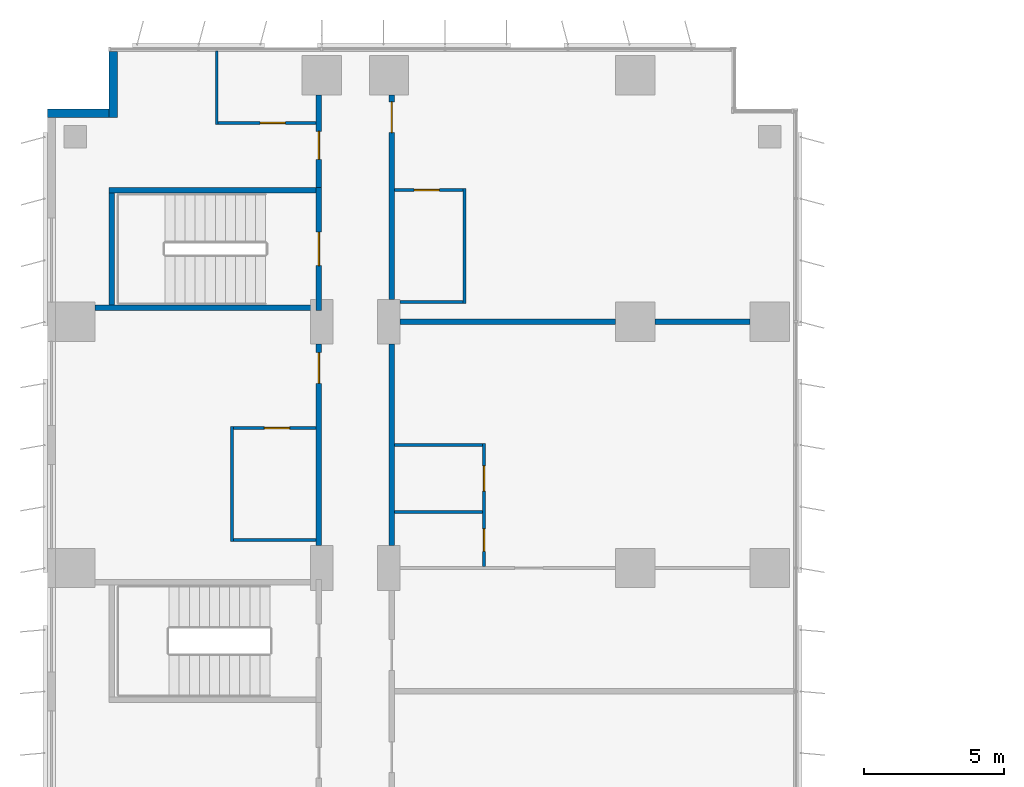
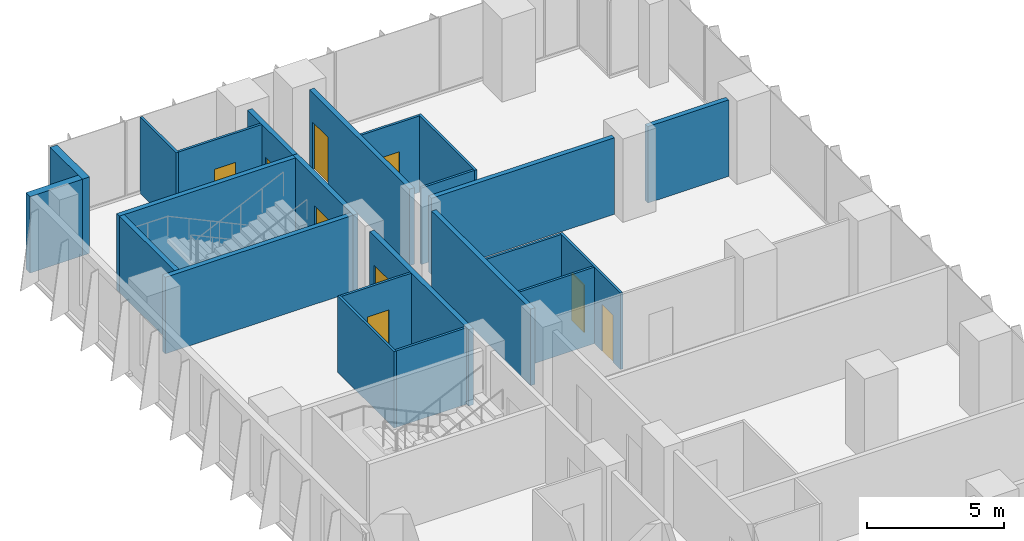
# One storey, part 19 of 24: 23 walls, 9 doors, 9 openings.
"""IFC4 building model written with IfcOpenShell, lengths in metres."""

from ifc_helpers import new_model, si_unit, direction, frame, frame_2d, origin, place, context, subcontext, project, spatial, rectangle, extrude, material, layer, layer_set, type_object, element, fill, save


model = new_model("IFC4")

# Units and contexts
model_context = context("Model", 3, precision=1e-05, world=origin(), true_north=direction((0.0, 1.0)))
body_context = subcontext(model_context, "Body", "Model", "MODEL_VIEW")
ifc_project = project(units=[si_unit("LENGTHUNIT", "METRE"), si_unit("AREAUNIT", "SQUARE_METRE"), si_unit("VOLUMEUNIT", "CUBIC_METRE"), si_unit("PLANEANGLEUNIT", "RADIAN"), si_unit("MASSUNIT", "GRAM", prefix="KILO")], contexts=[model_context])

# Site, building, storey
site_placement = place(None, origin())
site = spatial("IfcSite", under=ifc_project, at=site_placement, CompositionType="ELEMENT")
building_placement = place(site_placement, origin())
building = spatial("IfcBuilding", under=site, at=building_placement, Name="Kemantara Hotel Tower", CompositionType="ELEMENT")
storey_placement = place(building_placement, frame((0.0, 0.0, 45.10009765625)))
storey = spatial("IfcBuildingStorey", under=building, at=storey_placement, Name="L09", CompositionType="ELEMENT", Elevation=45.10009765625)

# Walls
ifc_material_1 = material(Name="Bronze anodised aluminium cladding on insulated steel stud wall", Category="steel")
ifc_layer_1 = layer(ifc_material_1, 0.300048828125)
ifc_layer_set_1 = layer_set([ifc_layer_1], Name="Bronze anodised aluminium cladding on insulated steel stud wall")
wall_type_1 = type_object("IfcWallType", Name="BRONZE METAL-CLAD EXTERNAL WALL 300", PredefinedType="STANDARD", material=ifc_layer_set_1)
wall_1_placement = place(storey_placement, frame((2.35009765625, 81.050048828125, 0.0), z_axis=(0.0, 0.0, 1.0), x_axis=(0.0, -1.0, 0.0)))
element("IfcWall", 1, at=wall_1_placement, inside=storey, type_object=wall_type_1, Name="EXTERNAL WALL L09 T1-R12", PredefinedType="STANDARD", context=body_context, shape_type="SweptSolid", body=[
    extrude(rectangle(XDim=2.35009765625, YDim=0.300048828125, at=frame_2d((1.175048828125, 0.0))), origin(), (0.0, 0.0, 1.0), 3.39990234375),
])
wall_2_placement = place(storey_placement, frame((2.199951171875, 78.85009765625, 0.0), z_axis=(0.0, 0.0, 1.0), x_axis=(-1.0, 0.0, 0.0)))
element("IfcWall", 2, at=wall_2_placement, inside=storey, type_object=wall_type_1, Name="EXTERNAL WALL L09 T1-R13", PredefinedType="STANDARD", context=body_context, shape_type="SweptSolid", body=[
    extrude(rectangle(XDim=2.199951171875, YDim=0.300048828125, at=frame_2d((1.10009765625, 0.0))), origin(), (0.0, 0.0, 1.0), 3.39990234375),
])

# Wall, opening, door
ifc_material_2 = material(Name="Gypsum board partition, steel studs and mineral wool, 200 mm", Category="steel")
ifc_layer_2 = layer(ifc_material_2, 0.199951171875)
ifc_layer_set_2 = layer_set([ifc_layer_2], Name="Gypsum board partition, steel studs and mineral wool, 200 mm")
wall_type_2 = type_object("IfcWallType", Name="CORRIDOR WALL 200", PredefinedType="PARTITIONING", material=ifc_layer_set_2)
wall_3_placement = place(storey_placement, frame((9.699951171875, 63.400146484375, 0.0), z_axis=(0.0, 0.0, 1.0), x_axis=(0.0, 1.0, 0.0)))
wall_3 = element("IfcWall", 3, at=wall_3_placement, inside=storey, type_object=wall_type_2, Name="CORRIDOR WALL 200 031", PredefinedType="PARTITIONING", context=body_context, shape_type="SweptSolid", body=[
    extrude(rectangle(XDim=7.19970703125, YDim=0.199951171875, at=frame_2d((3.599853515625, 0.0))), origin(), (0.0, 0.0, 1.0), 3.39990234375),
])
opening_1_placement = place(wall_3_placement, frame((5.7998046875, 0.0, 0.0)))
opening_1 = element("IfcOpeningElement", 4, at=opening_1_placement, cuts=wall_3, Name="Opening F02-041", PredefinedType="OPENING", context=body_context, shape_type="SweptSolid", body=[
    extrude(rectangle(XDim=1.10009765625, YDim=2.10009765625, at=frame_2d((0.550048828125, 1.050048828125))), frame((0.0, 0.10986328125, 0.0), z_axis=(0.0, -1.0, 0.0), x_axis=(1.0, 0.0, 0.0)), (0.0, 0.0, 1.0), 0.219970703125),
])
ifc_material_3 = material(Name="Hardwood veneer door leaf with steel frame", Category="steel")
door_type_1 = type_object("IfcDoorType", Name="SUITE ENTRANCE DOOR 1100 X 2100 FD30S", OperationType="NOTDEFINED", PredefinedType="DOOR", material=ifc_material_3)
door_1_placement = place(opening_1_placement, origin())
door_1 = element("IfcDoor", 5, at=door_1_placement, inside=storey, type_object=door_type_1, Name="SUITE ENTRANCE DOOR F02-041", OperationType="SINGLE_SWING_RIGHT", OverallHeight=2.10009765625, OverallWidth=1.10009765625, PredefinedType="DOOR", context=body_context, shape_type="SweptSolid", body=[
    extrude(rectangle(XDim=1.10009765625, YDim=2.10009765625, at=frame_2d((0.550048828125, 1.050048828125))), frame((0.0, 0.02490234375, 0.0), z_axis=(0.0, -1.0, 0.0), x_axis=(1.0, 0.0, 0.0)), (0.0, 0.0, 1.0), 0.050048828125),
])
fill(opening_1, door_1)

wall_4_placement = place(storey_placement, frame((9.699951171875, 76.199951171875, 0.0), z_axis=(0.0, 0.0, 1.0), x_axis=(0.0, 1.0, 0.0)))
wall_4 = element("IfcWall", 6, at=wall_4_placement, inside=storey, type_object=wall_type_2, Name="CORRIDOR WALL 200 032", PredefinedType="PARTITIONING", context=body_context, shape_type="SweptSolid", body=[
    extrude(rectangle(XDim=3.300048828125, YDim=0.199951171875, at=frame_2d((1.64990234375, 0.0))), origin(), (0.0, 0.0, 1.0), 3.39990234375),
])
opening_2_placement = place(wall_4_placement, frame((1.0, 0.0, 0.0)))
opening_2 = element("IfcOpeningElement", 7, at=opening_2_placement, cuts=wall_4, Name="Opening F02-043", PredefinedType="OPENING", context=body_context, shape_type="SweptSolid", body=[
    extrude(rectangle(XDim=1.0, YDim=2.10009765625, at=frame_2d((0.5, 1.050048828125))), frame((0.0, 0.10986328125, 0.0), z_axis=(0.0, -1.0, 0.0), x_axis=(1.0, 0.0, 0.0)), (0.0, 0.0, 1.0), 0.219970703125),
])
door_type_2 = type_object("IfcDoorType", Name="GUEST ROOM DOOR 1000 X 2100 FD30S", OperationType="NOTDEFINED", PredefinedType="DOOR", material=ifc_material_3)
door_2_placement = place(opening_2_placement, origin())
door_2 = element("IfcDoor", 8, at=door_2_placement, inside=storey, type_object=door_type_2, Name="GUEST ROOM DOOR F02-043", OperationType="SINGLE_SWING_LEFT", OverallHeight=2.10009765625, OverallWidth=1.0, PredefinedType="DOOR", context=body_context, shape_type="SweptSolid", body=[
    extrude(rectangle(XDim=1.0, YDim=2.10009765625, at=frame_2d((0.5, 1.050048828125))), frame((0.0, 0.02490234375, 0.0), z_axis=(0.0, -1.0, 0.0), x_axis=(1.0, 0.0, 0.0)), (0.0, 0.0, 1.0), 0.050048828125),
])
fill(opening_2, door_2)

# Wall
wall_5_placement = place(storey_placement, frame((12.300048828125, 63.400146484375, 0.0), z_axis=(0.0, 0.0, 1.0), x_axis=(0.0, 1.0, 0.0)))
element("IfcWall", 9, at=wall_5_placement, inside=storey, type_object=wall_type_2, Name="CORRIDOR WALL 200 048", PredefinedType="PARTITIONING", context=body_context, shape_type="SweptSolid", body=[
    extrude(rectangle(XDim=7.19970703125, YDim=0.199951171875, at=frame_2d((3.599853515625, 0.0))), origin(), (0.0, 0.0, 1.0), 3.39990234375),
])

# Wall, opening, door
wall_6_placement = place(storey_placement, frame((12.300048828125, 79.5, 0.0), z_axis=(0.0, 0.0, 1.0), x_axis=(0.0, -1.0, 0.0)))
wall_6 = element("IfcWall", 10, at=wall_6_placement, inside=storey, type_object=wall_type_2, Name="CORRIDOR WALL 200 049", PredefinedType="PARTITIONING", context=body_context, shape_type="SweptSolid", body=[
    extrude(rectangle(XDim=7.2998046875, YDim=0.199951171875, at=frame_2d((3.64990234375, 0.0))), origin(), (0.0, 0.0, 1.0), 3.39990234375),
])
opening_3_placement = place(wall_6_placement, frame((0.25, 0.0, 0.0)))
opening_3 = element("IfcOpeningElement", 11, at=opening_3_placement, cuts=wall_6, Name="Opening F02-059", PredefinedType="OPENING", context=body_context, shape_type="SweptSolid", body=[
    extrude(rectangle(XDim=1.10009765625, YDim=2.10009765625, at=frame_2d((0.550048828125, 1.050048828125))), frame((0.0, 0.10986328125, 0.0), z_axis=(0.0, -1.0, 0.0), x_axis=(1.0, 0.0, 0.0)), (0.0, 0.0, 1.0), 0.219970703125),
])
door_3_placement = place(opening_3_placement, origin())
door_3 = element("IfcDoor", 12, at=door_3_placement, inside=storey, type_object=door_type_1, Name="SUITE ENTRANCE DOOR F02-059", OperationType="SINGLE_SWING_LEFT", OverallHeight=2.10009765625, OverallWidth=1.10009765625, PredefinedType="DOOR", context=body_context, shape_type="SweptSolid", body=[
    extrude(rectangle(XDim=1.10009765625, YDim=2.10009765625, at=frame_2d((0.550048828125, 1.050048828125))), frame((0.0, 0.02490234375, 0.0), z_axis=(0.0, -1.0, 0.0), x_axis=(1.0, 0.0, 0.0)), (0.0, 0.0, 1.0), 0.050048828125),
])
fill(opening_3, door_3)

ifc_material_4 = material(Name="Concrete fc 40 MPa", Category="concrete")
ifc_layer_3 = layer(ifc_material_4, 0.199951171875)
ifc_layer_set_3 = layer_set([ifc_layer_3], Name="Concrete fc 40 MPa")
wall_type_3 = type_object("IfcWallType", Name="Concrete stair wall 200 mm", PredefinedType="SHEAR", material=ifc_layer_set_3)
wall_7_placement = place(storey_placement, frame((9.699951171875, 71.800048828125, 0.0), z_axis=(0.0, 0.0, 1.0), x_axis=(0.0, 1.0, 0.0)))
wall_7 = element("IfcWall", 13, at=wall_7_placement, inside=storey, type_object=wall_type_3, Name="Stair ST6 enclosure wall with door", PredefinedType="SHEAR", context=body_context, shape_type="SweptSolid", body=[
    extrude(rectangle(XDim=4.39990234375, YDim=0.199951171875, at=frame_2d((2.199951171875, 0.0))), origin(), (0.0, 0.0, 1.0), 3.39990234375),
])
opening_4_placement = place(wall_7_placement, frame((1.60009765625, 0.0, 0.0)))
opening_4 = element("IfcOpeningElement", 14, at=opening_4_placement, cuts=wall_7, Name="Opening ST6-C", PredefinedType="OPENING", context=body_context, shape_type="SweptSolid", body=[
    extrude(rectangle(XDim=1.199951171875, YDim=2.10009765625, at=frame_2d((0.60009765625, 1.050048828125))), frame((0.0, 0.10986328125, 0.0), z_axis=(0.0, -1.0, 0.0), x_axis=(1.0, 0.0, 0.0)), (0.0, 0.0, 1.0), 0.219970703125),
])
ifc_material_5 = material(Name="Steel fire door", Category="steel")
door_type_3 = type_object("IfcDoorType", Name="Fire door FD90 1200 x 2100", OperationType="NOTDEFINED", PredefinedType="DOOR", material=ifc_material_5)
door_4_placement = place(opening_4_placement, origin())
door_4 = element("IfcDoor", 15, at=door_4_placement, inside=storey, type_object=door_type_3, Name="Stair ST6 door", OperationType="SINGLE_SWING_RIGHT", OverallHeight=2.10009765625, OverallWidth=1.199951171875, PredefinedType="DOOR", context=body_context, shape_type="SweptSolid", body=[
    extrude(rectangle(XDim=1.199951171875, YDim=2.10009765625, at=frame_2d((0.60009765625, 1.050048828125))), frame((0.0, 0.02490234375, 0.0), z_axis=(0.0, -1.0, 0.0), x_axis=(1.0, 0.0, 0.0)), (0.0, 0.0, 1.0), 0.050048828125),
])
fill(opening_4, door_4)

# Walls
wall_8_placement = place(storey_placement, frame((2.199951171875, 76.10009765625, 0.0), z_axis=(0.0, 0.0, 1.0), x_axis=(1.0, 0.0, 0.0)))
element("IfcWall", 16, at=wall_8_placement, inside=storey, type_object=wall_type_3, Name="Stair ST6 enclosure wall N", PredefinedType="SHEAR", context=body_context, shape_type="SweptSolid", body=[
    extrude(rectangle(XDim=7.400146484375, YDim=0.199951171875, at=frame_2d((3.7001953125, 0.0))), origin(), (0.0, 0.0, 1.0), 3.39990234375),
])
wall_9_placement = place(storey_placement, frame((1.699951171875, 71.89990234375, 0.0), z_axis=(0.0, 0.0, 1.0), x_axis=(1.0, 0.0, 0.0)))
element("IfcWall", 17, at=wall_9_placement, inside=storey, type_object=wall_type_3, Name="Stair ST6 enclosure wall S", PredefinedType="SHEAR", context=body_context, shape_type="SweptSolid", body=[
    extrude(rectangle(XDim=7.900146484375, YDim=0.199951171875, at=frame_2d((3.9501953125, 0.0))), origin(), (0.0, 0.0, 1.0), 3.39990234375),
])
wall_10_placement = place(storey_placement, frame((2.300048828125, 72.0, 0.0), z_axis=(0.0, 0.0, 1.0), x_axis=(0.0, 1.0, 0.0)))
element("IfcWall", 18, at=wall_10_placement, inside=storey, type_object=wall_type_3, Name="Stair ST6 enclosure wall W", PredefinedType="SHEAR", context=body_context, shape_type="SweptSolid", body=[
    extrude(rectangle(XDim=4.0, YDim=0.199951171875, at=frame_2d((2.0, 0.0))), origin(), (0.0, 0.0, 1.0), 3.39990234375),
])
ifc_layer_4 = layer(ifc_material_2, 0.199951171875)
ifc_layer_set_4 = layer_set([ifc_layer_4], Name="Gypsum board partition, steel studs and mineral wool, 200 mm")
wall_type_4 = type_object("IfcWallType", Name="GUEST ROOM PARTY WALL 200", PredefinedType="PARTITIONING", material=ifc_layer_set_4)
wall_11_placement = place(storey_placement, frame((12.60009765625, 71.39990234375, 0.0), z_axis=(0.0, 0.0, 1.0), x_axis=(1.0, 0.0, 0.0)))
element("IfcWall", 19, at=wall_11_placement, inside=storey, type_object=wall_type_4, Name="GUEST ROOM PARTY WALL 200 054", PredefinedType="PARTITIONING", context=body_context, shape_type="SweptSolid", body=[
    extrude(rectangle(XDim=7.69970703125, YDim=0.199951171875, at=frame_2d((3.849853515625, 0.0))), origin(), (0.0, 0.0, 1.0), 3.39990234375),
])
wall_12_placement = place(storey_placement, frame((21.7001953125, 71.39990234375, 0.0), z_axis=(0.0, 0.0, 1.0), x_axis=(1.0, 0.0, 0.0)))
element("IfcWall", 20, at=wall_12_placement, inside=storey, type_object=wall_type_4, Name="GUEST ROOM PARTY WALL 200 055", PredefinedType="PARTITIONING", context=body_context, shape_type="SweptSolid", body=[
    extrude(rectangle(XDim=3.399658203125, YDim=0.199951171875, at=frame_2d((1.69970703125, 0.0))), origin(), (0.0, 0.0, 1.0), 3.39990234375),
])
ifc_material_6 = material(Name="Gypsum board partition on steel studs, 100 mm", Category="steel")
ifc_layer_5 = layer(ifc_material_6, 0.10009765625)
ifc_layer_set_5 = layer_set([ifc_layer_5], Name="Gypsum board partition on steel studs, 100 mm")
wall_type_5 = type_object("IfcWallType", Name="ROOM PARTITION 100", PredefinedType="PARTITIONING", material=ifc_layer_set_5)
wall_13_placement = place(storey_placement, frame((6.050048828125, 78.449951171875, 0.0), z_axis=(0.0, 0.0, 1.0), x_axis=(0.0, 1.0, 0.0)))
element("IfcWall", 21, at=wall_13_placement, inside=storey, type_object=wall_type_5, Name="ROOM PARTITION 100 087", PredefinedType="PARTITIONING", context=body_context, shape_type="SweptSolid", body=[
    extrude(rectangle(XDim=2.6201171875, YDim=0.10009765625, at=frame_2d((1.31005859375, 0.0))), origin(), (0.0, 0.0, 1.0), 3.39990234375),
])
wall_14_placement = place(storey_placement, frame((6.60009765625, 63.550048828125, 0.0), z_axis=(0.0, 0.0, 1.0), x_axis=(0.0, 1.0, 0.0)))
element("IfcWall", 22, at=wall_14_placement, inside=storey, type_object=wall_type_5, Name="ROOM PARTITION 100 095", PredefinedType="PARTITIONING", context=body_context, shape_type="SweptSolid", body=[
    extrude(rectangle(XDim=4.099853515625, YDim=0.10009765625, at=frame_2d((2.0498046875, 0.0))), origin(), (0.0, 0.0, 1.0), 3.39990234375),
])
wall_15_placement = place(storey_placement, frame((6.64990234375, 63.60009765625, 0.0), z_axis=(0.0, 0.0, 1.0), x_axis=(1.0, 0.0, 0.0)))
element("IfcWall", 23, at=wall_15_placement, inside=storey, type_object=wall_type_5, Name="ROOM PARTITION 100 106", PredefinedType="PARTITIONING", context=body_context, shape_type="SweptSolid", body=[
    extrude(rectangle(XDim=2.9501953125, YDim=0.10009765625, at=frame_2d((1.47509765625, 0.0))), origin(), (0.0, 0.0, 1.0), 3.39990234375),
])

# Wall, opening, door
wall_16_placement = place(storey_placement, frame((9.60009765625, 67.60009765625, 0.0), z_axis=(0.0, 0.0, 1.0), x_axis=(-1.0, 0.0, 0.0)))
wall_16 = element("IfcWall", 24, at=wall_16_placement, inside=storey, type_object=wall_type_5, Name="ROOM PARTITION 100 107", PredefinedType="PARTITIONING", context=body_context, shape_type="SweptSolid", body=[
    extrude(rectangle(XDim=2.9501953125, YDim=0.10009765625, at=frame_2d((1.47509765625, 0.0))), origin(), (0.0, 0.0, 1.0), 3.39990234375),
])
opening_5_placement = place(wall_16_placement, frame((0.949951171875, 0.0, 0.0)))
opening_5 = element("IfcOpeningElement", 25, at=opening_5_placement, cuts=wall_16, Name="Opening F02-042", PredefinedType="OPENING", context=body_context, shape_type="SweptSolid", body=[
    extrude(rectangle(XDim=0.89990234375, YDim=2.10009765625, at=frame_2d((0.449951171875, 1.050048828125))), frame((0.0, 0.06005859375, 0.0), z_axis=(0.0, -1.0, 0.0), x_axis=(1.0, 0.0, 0.0)), (0.0, 0.0, 1.0), 0.1201171875),
])
door_type_4 = type_object("IfcDoorType", Name="BATHROOM DOOR 900 X 2100", OperationType="NOTDEFINED", PredefinedType="DOOR", material=ifc_material_3)
door_5_placement = place(opening_5_placement, origin())
door_5 = element("IfcDoor", 26, at=door_5_placement, inside=storey, type_object=door_type_4, Name="BATHROOM DOOR F02-042", OperationType="SINGLE_SWING_LEFT", OverallHeight=2.10009765625, OverallWidth=0.89990234375, PredefinedType="DOOR", context=body_context, shape_type="SweptSolid", body=[
    extrude(rectangle(XDim=0.89990234375, YDim=2.10009765625, at=frame_2d((0.449951171875, 1.050048828125))), frame((0.0, 0.02490234375, 0.0), z_axis=(0.0, -1.0, 0.0), x_axis=(1.0, 0.0, 0.0)), (0.0, 0.0, 1.0), 0.050048828125),
])
fill(opening_5, door_5)

wall_17_placement = place(storey_placement, frame((6.10009765625, 78.5, 0.0), z_axis=(0.0, 0.0, 1.0), x_axis=(1.0, 0.0, 0.0)))
wall_17 = element("IfcWall", 27, at=wall_17_placement, inside=storey, type_object=wall_type_5, Name="ROOM PARTITION 100 108", PredefinedType="PARTITIONING", context=body_context, shape_type="SweptSolid", body=[
    extrude(rectangle(XDim=3.5, YDim=0.10009765625, at=frame_2d((1.75, 0.0))), origin(), (0.0, 0.0, 1.0), 3.39990234375),
])
opening_6_placement = place(wall_17_placement, frame((1.5, 0.0, 0.0)))
opening_6 = element("IfcOpeningElement", 28, at=opening_6_placement, cuts=wall_17, Name="Opening F02-044", PredefinedType="OPENING", context=body_context, shape_type="SweptSolid", body=[
    extrude(rectangle(XDim=0.89990234375, YDim=2.10009765625, at=frame_2d((0.449951171875, 1.050048828125))), frame((0.0, 0.06005859375, 0.0), z_axis=(0.0, -1.0, 0.0), x_axis=(1.0, 0.0, 0.0)), (0.0, 0.0, 1.0), 0.1201171875),
])
door_6_placement = place(opening_6_placement, origin())
door_6 = element("IfcDoor", 29, at=door_6_placement, inside=storey, type_object=door_type_4, Name="BATHROOM DOOR F02-044", OperationType="SINGLE_SWING_RIGHT", OverallHeight=2.10009765625, OverallWidth=0.89990234375, PredefinedType="DOOR", context=body_context, shape_type="SweptSolid", body=[
    extrude(rectangle(XDim=0.89990234375, YDim=2.10009765625, at=frame_2d((0.449951171875, 1.050048828125))), frame((0.0, 0.02490234375, 0.0), z_axis=(0.0, -1.0, 0.0), x_axis=(1.0, 0.0, 0.0)), (0.0, 0.0, 1.0), 0.050048828125),
])
fill(opening_6, door_6)

# Wall, openings, doors
wall_18_placement = place(storey_placement, frame((15.60009765625, 62.64990234375, 0.0), z_axis=(0.0, 0.0, 1.0), x_axis=(0.0, 1.0, 0.0)))
wall_18 = element("IfcWall", 30, at=wall_18_placement, inside=storey, type_object=wall_type_5, Name="ROOM PARTITION 100 113", PredefinedType="PARTITIONING", context=body_context, shape_type="SweptSolid", body=[
    extrude(rectangle(XDim=4.400146484375, YDim=0.10009765625, at=frame_2d((2.2001953125, 0.0))), origin(), (0.0, 0.0, 1.0), 3.39990234375),
])
opening_7_placement = place(wall_18_placement, frame((2.699951171875, 0.0, 0.0)))
opening_7 = element("IfcOpeningElement", 31, at=opening_7_placement, cuts=wall_18, Name="Opening F02-057", PredefinedType="OPENING", context=body_context, shape_type="SweptSolid", body=[
    extrude(rectangle(XDim=0.89990234375, YDim=2.10009765625, at=frame_2d((0.449951171875, 1.050048828125))), frame((0.0, 0.06005859375, 0.0), z_axis=(0.0, -1.0, 0.0), x_axis=(1.0, 0.0, 0.0)), (0.0, 0.0, 1.0), 0.1201171875),
])
opening_8_placement = place(wall_18_placement, frame((0.550048828125, 0.0, 0.0)))
opening_8 = element("IfcOpeningElement", 32, at=opening_8_placement, cuts=wall_18, Name="Opening F02-058", PredefinedType="OPENING", context=body_context, shape_type="SweptSolid", body=[
    extrude(rectangle(XDim=0.800048828125, YDim=2.10009765625, at=frame_2d((0.39990234375, 1.050048828125))), frame((0.0, 0.06005859375, 0.0), z_axis=(0.0, -1.0, 0.0), x_axis=(1.0, 0.0, 0.0)), (0.0, 0.0, 1.0), 0.1201171875),
])
door_7_placement = place(opening_7_placement, origin())
door_7 = element("IfcDoor", 33, at=door_7_placement, inside=storey, type_object=door_type_4, Name="BATHROOM DOOR F02-057", OperationType="SINGLE_SWING_LEFT", OverallHeight=2.10009765625, OverallWidth=0.89990234375, PredefinedType="DOOR", context=body_context, shape_type="SweptSolid", body=[
    extrude(rectangle(XDim=0.89990234375, YDim=2.10009765625, at=frame_2d((0.449951171875, 1.050048828125))), frame((0.0, 0.02490234375, 0.0), z_axis=(0.0, -1.0, 0.0), x_axis=(1.0, 0.0, 0.0)), (0.0, 0.0, 1.0), 0.050048828125),
])
fill(opening_7, door_7)
door_type_5 = type_object("IfcDoorType", Name="WARDROBE DOOR 800 X 2100", OperationType="NOTDEFINED", PredefinedType="DOOR", material=ifc_material_3)
door_8_placement = place(opening_8_placement, origin())
door_8 = element("IfcDoor", 34, at=door_8_placement, inside=storey, type_object=door_type_5, Name="WARDROBE DOOR F02-058", OperationType="SINGLE_SWING_LEFT", OverallHeight=2.10009765625, OverallWidth=0.800048828125, PredefinedType="DOOR", context=body_context, shape_type="SweptSolid", body=[
    extrude(rectangle(XDim=0.800048828125, YDim=2.10009765625, at=frame_2d((0.39990234375, 1.050048828125))), frame((0.0, 0.02490234375, 0.0), z_axis=(0.0, -1.0, 0.0), x_axis=(1.0, 0.0, 0.0)), (0.0, 0.0, 1.0), 0.050048828125),
])
fill(opening_8, door_8)

# Walls
for number, where, z_axis, x_axis, name in (
    (35, (12.39990234375, 67.0, 0.0), (0.0, 0.0, 1.0), (1.0, 0.0, 0.0), "ROOM PARTITION 100 122"),
    (36, (12.39990234375, 64.60009765625, 0.0), (0.0, 0.0, 1.0), (1.0, 0.0, 0.0), "ROOM PARTITION 100 123"),
):
    element("IfcWall", number, at=place(storey_placement, frame(where, z_axis=z_axis, x_axis=x_axis)), inside=storey, type_object=wall_type_5, Name=name, PredefinedType="PARTITIONING", context=body_context, shape_type="SweptSolid", body=[
        extrude(rectangle(XDim=3.150146484375, YDim=0.10009765625, at=frame_2d((1.5751953125, 0.0))), origin(), (0.0, 0.0, 1.0), 3.39990234375),
    ])
wall_19_placement = place(storey_placement, frame((14.89990234375, 72.050048828125, 0.0), z_axis=(0.0, 0.0, 1.0), x_axis=(0.0, 1.0, 0.0)))
element("IfcWall", 37, at=wall_19_placement, inside=storey, type_object=wall_type_5, Name="ROOM PARTITION 100 124", PredefinedType="PARTITIONING", context=body_context, shape_type="SweptSolid", body=[
    extrude(rectangle(XDim=4.099853515625, YDim=0.10009765625, at=frame_2d((2.0498046875, 0.0))), origin(), (0.0, 0.0, 1.0), 3.39990234375),
])
wall_20_placement = place(storey_placement, frame((12.60009765625, 72.10009765625, 0.0), z_axis=(0.0, 0.0, 1.0), x_axis=(1.0, 0.0, 0.0)))
element("IfcWall", 38, at=wall_20_placement, inside=storey, type_object=wall_type_5, Name="ROOM PARTITION 100 125", PredefinedType="PARTITIONING", context=body_context, shape_type="SweptSolid", body=[
    extrude(rectangle(XDim=2.25, YDim=0.10009765625, at=frame_2d((1.125, 0.0))), origin(), (0.0, 0.0, 1.0), 3.39990234375),
])

# Wall, opening, door
wall_21_placement = place(storey_placement, frame((14.85009765625, 76.10009765625, 0.0), z_axis=(0.0, 0.0, 1.0), x_axis=(-1.0, 0.0, 0.0)))
wall_21 = element("IfcWall", 39, at=wall_21_placement, inside=storey, type_object=wall_type_5, Name="ROOM PARTITION 100 126", PredefinedType="PARTITIONING", context=body_context, shape_type="SweptSolid", body=[
    extrude(rectangle(XDim=2.4501953125, YDim=0.10009765625, at=frame_2d((1.22509765625, 0.0))), origin(), (0.0, 0.0, 1.0), 3.39990234375),
])
opening_9_placement = place(wall_21_placement, frame((0.85009765625, 0.0, 0.0)))
opening_9 = element("IfcOpeningElement", 40, at=opening_9_placement, cuts=wall_21, Name="Opening F02-060", PredefinedType="OPENING", context=body_context, shape_type="SweptSolid", body=[
    extrude(rectangle(XDim=0.89990234375, YDim=2.10009765625, at=frame_2d((0.449951171875, 1.050048828125))), frame((0.0, 0.06005859375, 0.0), z_axis=(0.0, -1.0, 0.0), x_axis=(1.0, 0.0, 0.0)), (0.0, 0.0, 1.0), 0.1201171875),
])
door_9_placement = place(opening_9_placement, origin())
door_9 = element("IfcDoor", 41, at=door_9_placement, inside=storey, type_object=door_type_4, Name="BATHROOM DOOR F02-060", OperationType="SINGLE_SWING_RIGHT", OverallHeight=2.10009765625, OverallWidth=0.89990234375, PredefinedType="DOOR", context=body_context, shape_type="SweptSolid", body=[
    extrude(rectangle(XDim=0.89990234375, YDim=2.10009765625, at=frame_2d((0.449951171875, 1.050048828125))), frame((0.0, 0.02490234375, 0.0), z_axis=(0.0, -1.0, 0.0), x_axis=(1.0, 0.0, 0.0)), (0.0, 0.0, 1.0), 0.050048828125),
])
fill(opening_9, door_9)

save(model, "model.ifc")
